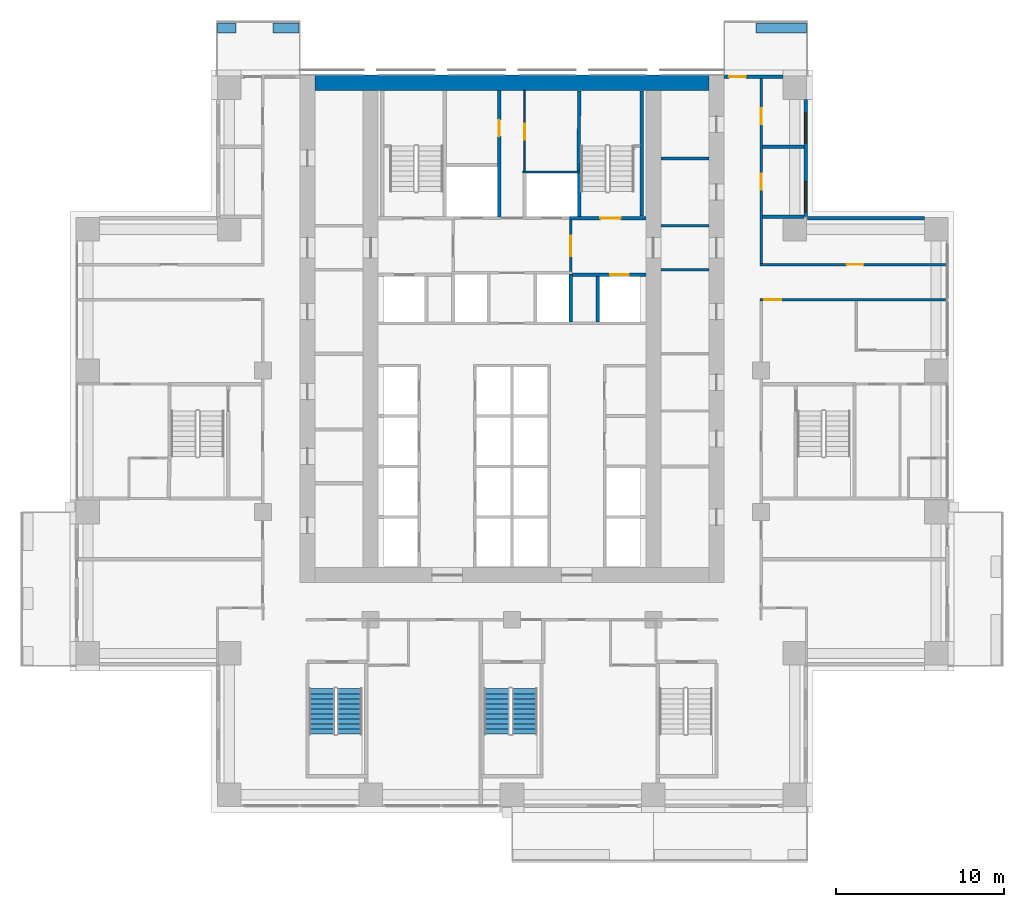
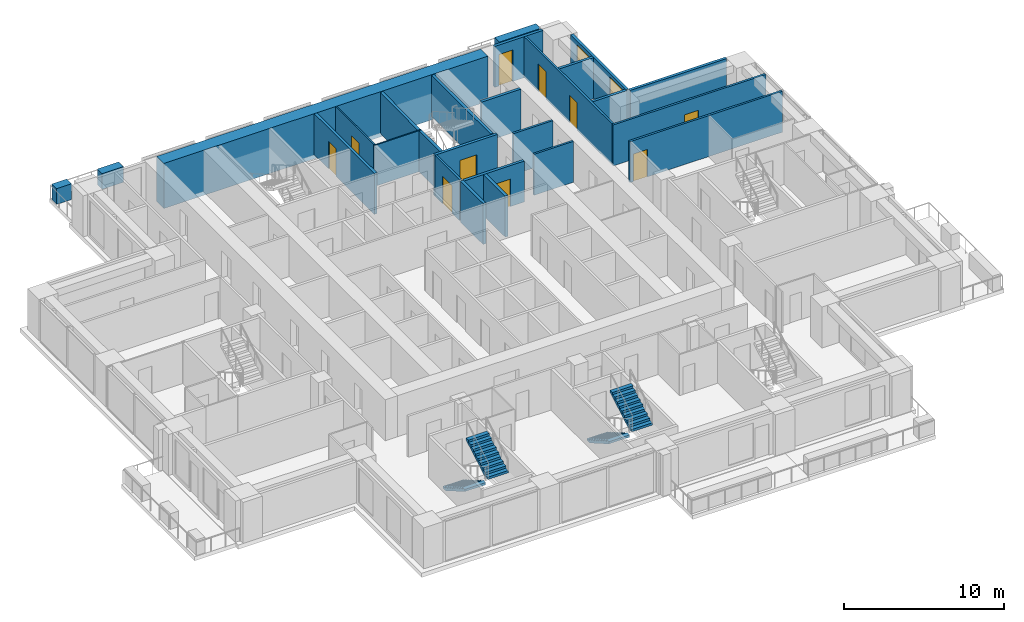
# One storey, part 13 of 17: 26 walls, 10 doors, 4 stair flights, 2 windows, 12 openings, 2 elements without a shape of their own.
"""IFC4 building model written with IfcOpenShell, lengths in metres."""

from ifc_helpers import new_model, si_unit, direction, frame, frame_2d, origin, place, context, subcontext, project, spatial, polyline, rectangle, outline, extrude, material, layer, layer_set, type_object, element, fill, aggregate, save


model = new_model("IFC4")

# Units and contexts
model_context = context("Model", 3, precision=1e-05, world=origin(), true_north=direction((0.0, 1.0)))
body_context = subcontext(model_context, "Body", "Model", "MODEL_VIEW")
ifc_project = project(units=[si_unit("LENGTHUNIT", "METRE"), si_unit("AREAUNIT", "SQUARE_METRE"), si_unit("VOLUMEUNIT", "CUBIC_METRE"), si_unit("PLANEANGLEUNIT", "RADIAN"), si_unit("MASSUNIT", "GRAM", prefix="KILO")], contexts=[model_context])

# Site, building, storey
site_placement = place(None, origin())
site = spatial("IfcSite", under=ifc_project, at=site_placement, CompositionType="ELEMENT")
building_placement = place(site_placement, origin())
building = spatial("IfcBuilding", under=site, at=building_placement, Name="Vermilion Ogive Tower", CompositionType="ELEMENT")
storey_placement = place(building_placement, frame((0.0, 0.0, 65.550048828125)))
storey = spatial("IfcBuildingStorey", under=building, at=storey_placement, Name="L15", CompositionType="ELEMENT", Elevation=65.550048828125)

# Wall
ifc_material_1 = material(Name="Gypsum board partition on steel studs", Category="steel")
ifc_layer_1 = layer(ifc_material_1, 0.10009765625)
ifc_layer_set_1 = layer_set([ifc_layer_1], Name="Partition 100 bath")
wall_type_1 = type_object("IfcWallType", Name="Partition 100 bath", PredefinedType="PARTITIONING", material=ifc_layer_set_1)
wall_1_placement = place(storey_placement, frame((0.64990234375, 16.0, 0.0), z_axis=(0.0, 0.0, 1.0), x_axis=(1.0, 0.0, 0.0)))
element("IfcWall", 1, at=wall_1_placement, inside=storey, type_object=wall_type_1, Name="L15-CK-W-W020", PredefinedType="PARTITIONING", context=body_context, shape_type="SweptSolid", body=[
    extrude(rectangle(XDim=3.4501953125, YDim=0.10009765625, at=frame_2d((1.72509765625, 0.0))), origin(), (0.0, 0.0, 1.0), 3.1298828125),
])

# Wall, opening, door
wall_2_placement = place(storey_placement, frame((0.75, 16.050048828125, 0.0), z_axis=(0.0, 0.0, 1.0), x_axis=(0.0, 1.0, 0.0)))
wall_2 = element("IfcWall", 2, at=wall_2_placement, inside=storey, type_object=wall_type_1, Name="L15-CK-W-W032", PredefinedType="PARTITIONING", context=body_context, shape_type="SweptSolid", body=[
    extrude(rectangle(XDim=4.799072265625, YDim=0.10009765625, at=frame_2d((2.3994140625, 0.0))), origin(), (0.0, 0.0, 1.0), 3.1298828125),
])
opening_1_placement = place(wall_2_placement, frame((1.875, 0.0, 0.0)))
opening_1 = element("IfcOpeningElement", 3, at=opening_1_placement, cuts=wall_2, Name="Opening DAA099", PredefinedType="OPENING", context=body_context, shape_type="SweptSolid", body=[
    extrude(rectangle(XDim=0.949951171875, YDim=2.10009765625, at=frame_2d((0.47509765625, 1.050048828125))), frame((0.0, 0.06005859375, 0.0), z_axis=(0.0, -1.0, 0.0), x_axis=(1.0, 0.0, 0.0)), (0.0, 0.0, 1.0), 0.1201171875),
])
ifc_material_2 = material(Name="Timber door leaf", Category="wood")
door_type_1 = type_object("IfcDoorType", Name="Service door 950 x 2100 FD60", OperationType="SINGLE_SWING_LEFT", PredefinedType="DOOR", material=ifc_material_2)
door_1_placement = place(opening_1_placement, origin())
door_1 = element("IfcDoor", 4, at=door_1_placement, inside=storey, type_object=door_type_1, Name="L15-CK-D-D021", OperationType="SINGLE_SWING_LEFT", OverallHeight=2.10009765625, OverallWidth=0.949951171875, PredefinedType="DOOR", context=body_context, shape_type="SweptSolid", body=[
    extrude(rectangle(XDim=0.949951171875, YDim=2.10009765625, at=frame_2d((0.47509765625, 1.050048828125))), frame((0.0, 0.02490234375, 0.0), z_axis=(0.0, -1.0, 0.0), x_axis=(1.0, 0.0, 0.0)), (0.0, 0.0, 1.0), 0.050048828125),
])
fill(opening_1, door_1)

ifc_material_3 = material(Name="Gypsum board partition on steel studs", Category="steel")
ifc_layer_2 = layer(ifc_material_3, 0.14990234375)
ifc_layer_set_2 = layer_set([ifc_layer_2], Name="Partition 150 corridor")
wall_type_2 = type_object("IfcWallType", Name="Partition 150 corridor", PredefinedType="PARTITIONING", material=ifc_layer_set_2)
wall_3_placement = place(storey_placement, frame((14.72509765625, 8.39990234375, 0.0), z_axis=(0.0, 0.0, 1.0), x_axis=(1.0, 0.0, 0.0)))
wall_3 = element("IfcWall", 5, at=wall_3_placement, inside=storey, type_object=wall_type_2, Name="L15-W-W029", PredefinedType="PARTITIONING", context=body_context, shape_type="SweptSolid", body=[
    extrude(rectangle(XDim=11.02490234375, YDim=0.14990234375, at=frame_2d((5.512451171875, 0.0))), origin(), (0.0, 0.0, 1.0), 3.1298828125),
])
opening_2_placement = place(wall_3_placement, frame((0.27490234375, 0.0, 0.0)))
opening_2 = element("IfcOpeningElement", 6, at=opening_2_placement, cuts=wall_3, Name="Opening D1G5016", PredefinedType="OPENING", context=body_context, shape_type="SweptSolid", body=[
    extrude(rectangle(XDim=1.0, YDim=2.10009765625, at=frame_2d((0.5, 1.050048828125))), frame((0.0, 0.0849609375, 0.0), z_axis=(0.0, -1.0, 0.0), x_axis=(1.0, 0.0, 0.0)), (0.0, 0.0, 1.0), 0.169921875),
])
ifc_material_4 = material(Name="Timber door leaf", Category="wood")
door_type_2 = type_object("IfcDoorType", Name="Unit door 1000 x 2100 FD30S", OperationType="SINGLE_SWING_LEFT", PredefinedType="DOOR", material=ifc_material_4)
door_2_placement = place(opening_2_placement, origin())
door_2 = element("IfcDoor", 7, at=door_2_placement, inside=storey, type_object=door_type_2, Name="L15-D-D016", OperationType="SINGLE_SWING_RIGHT", OverallHeight=2.10009765625, OverallWidth=1.0, PredefinedType="DOOR", context=body_context, shape_type="SweptSolid", body=[
    extrude(rectangle(XDim=1.0, YDim=2.10009765625, at=frame_2d((0.5, 1.050048828125))), frame((0.0, 0.02490234375, 0.0), z_axis=(0.0, -1.0, 0.0), x_axis=(1.0, 0.0, 0.0)), (0.0, 0.0, 1.0), 0.050048828125),
])
fill(opening_2, door_2)

wall_4_placement = place(storey_placement, frame((14.72509765625, 10.5, 0.0), z_axis=(0.0, 0.0, 1.0), x_axis=(1.0, 0.0, 0.0)))
wall_4 = element("IfcWall", 8, at=wall_4_placement, inside=storey, type_object=wall_type_2, Name="L15-W-W031", PredefinedType="PARTITIONING", context=body_context, shape_type="SweptSolid", body=[
    extrude(rectangle(XDim=11.02490234375, YDim=0.14990234375, at=frame_2d((5.512451171875, 0.0))), origin(), (0.0, 0.0, 1.0), 3.1298828125),
])
opening_3_placement = place(wall_4_placement, frame((5.14990234375, 0.0, 0.0)))
opening_3 = element("IfcOpeningElement", 9, at=opening_3_placement, cuts=wall_4, Name="Opening D1G5034", PredefinedType="OPENING", context=body_context, shape_type="SweptSolid", body=[
    extrude(rectangle(XDim=1.0, YDim=2.10009765625, at=frame_2d((0.5, 1.050048828125))), frame((0.0, 0.0849609375, 0.0), z_axis=(0.0, -1.0, 0.0), x_axis=(1.0, 0.0, 0.0)), (0.0, 0.0, 1.0), 0.169921875),
])
door_3_placement = place(opening_3_placement, origin())
door_3 = element("IfcDoor", 10, at=door_3_placement, inside=storey, type_object=door_type_2, Name="L15-D-D034", OperationType="SINGLE_SWING_RIGHT", OverallHeight=2.10009765625, OverallWidth=1.0, PredefinedType="DOOR", context=body_context, shape_type="SweptSolid", body=[
    extrude(rectangle(XDim=1.0, YDim=2.10009765625, at=frame_2d((0.5, 1.050048828125))), frame((0.0, 0.02490234375, 0.0), z_axis=(0.0, -1.0, 0.0), x_axis=(1.0, 0.0, 0.0)), (0.0, 0.0, 1.0), 0.050048828125),
])
fill(opening_3, door_3)

# Wall, openings, doors
wall_5_placement = place(storey_placement, frame((14.800048828125, 10.574951171875, 0.0), z_axis=(0.0, 0.0, 1.0), x_axis=(0.0, 1.0, 0.0)))
wall_5 = element("IfcWall", 11, at=wall_5_placement, inside=storey, type_object=wall_type_2, Name="L15-W-W054", PredefinedType="PARTITIONING", context=body_context, shape_type="SweptSolid", body=[
    extrude(rectangle(XDim=10.97509765625, YDim=0.14990234375, at=frame_2d((5.487548828125, 0.0))), origin(), (0.0, 0.0, 1.0), 3.1298828125),
])
opening_4_placement = place(wall_5_placement, frame((4.375, 0.0, 0.0)))
opening_4 = element("IfcOpeningElement", 12, at=opening_4_placement, cuts=wall_5, Name="Opening D1G5019", PredefinedType="OPENING", context=body_context, shape_type="SweptSolid", body=[
    extrude(rectangle(XDim=0.949951171875, YDim=2.10009765625, at=frame_2d((0.47509765625, 1.050048828125))), frame((0.0, 0.0849609375, 0.0), z_axis=(0.0, -1.0, 0.0), x_axis=(1.0, 0.0, 0.0)), (0.0, 0.0, 1.0), 0.169921875),
])
opening_5_placement = place(wall_5_placement, frame((8.275146484375, 0.0, 0.0)))
opening_5 = element("IfcOpeningElement", 13, at=opening_5_placement, cuts=wall_5, Name="Opening D1G5020", PredefinedType="OPENING", context=body_context, shape_type="SweptSolid", body=[
    extrude(rectangle(XDim=0.949951171875, YDim=2.10009765625, at=frame_2d((0.47509765625, 1.050048828125))), frame((0.0, 0.0849609375, 0.0), z_axis=(0.0, -1.0, 0.0), x_axis=(1.0, 0.0, 0.0)), (0.0, 0.0, 1.0), 0.169921875),
])
ifc_material_5 = material(Name="Timber door leaf", Category="wood")
door_type_3 = type_object("IfcDoorType", Name="Unit door 950 x 2100 FD30S", OperationType="SINGLE_SWING_LEFT", PredefinedType="DOOR", material=ifc_material_5)
door_4_placement = place(opening_4_placement, origin())
door_4 = element("IfcDoor", 14, at=door_4_placement, inside=storey, type_object=door_type_3, Name="L15-D-D019", OperationType="SINGLE_SWING_RIGHT", OverallHeight=2.10009765625, OverallWidth=0.949951171875, PredefinedType="DOOR", context=body_context, shape_type="SweptSolid", body=[
    extrude(rectangle(XDim=0.949951171875, YDim=2.10009765625, at=frame_2d((0.47509765625, 1.050048828125))), frame((0.0, 0.02490234375, 0.0), z_axis=(0.0, -1.0, 0.0), x_axis=(1.0, 0.0, 0.0)), (0.0, 0.0, 1.0), 0.050048828125),
])
fill(opening_4, door_4)
door_5_placement = place(opening_5_placement, origin())
door_5 = element("IfcDoor", 15, at=door_5_placement, inside=storey, type_object=door_type_3, Name="L15-D-D020", OperationType="SINGLE_SWING_LEFT", OverallHeight=2.10009765625, OverallWidth=0.949951171875, PredefinedType="DOOR", context=body_context, shape_type="SweptSolid", body=[
    extrude(rectangle(XDim=0.949951171875, YDim=2.10009765625, at=frame_2d((0.47509765625, 1.050048828125))), frame((0.0, 0.02490234375, 0.0), z_axis=(0.0, -1.0, 0.0), x_axis=(1.0, 0.0, 0.0)), (0.0, 0.0, 1.0), 0.050048828125),
])
fill(opening_5, door_5)

# Wall, opening, door
wall_6_placement = place(storey_placement, frame((3.5, 10.074951171875, 0.0), z_axis=(0.0, 0.0, 1.0), x_axis=(0.0, 1.0, 0.0)))
wall_6 = element("IfcWall", 16, at=wall_6_placement, inside=storey, type_object=wall_type_2, Name="L15-CK-W-W036", PredefinedType="PARTITIONING", context=body_context, shape_type="SweptSolid", body=[
    extrude(rectangle(XDim=3.074951171875, YDim=0.14990234375, at=frame_2d((1.53759765625, 0.0))), origin(), (0.0, 0.0, 1.0), 3.1298828125),
])
opening_6_placement = place(wall_6_placement, frame((0.925048828125, 0.0, 0.0)))
opening_6 = element("IfcOpeningElement", 17, at=opening_6_placement, cuts=wall_6, Name="Opening DAA092", PredefinedType="OPENING", context=body_context, shape_type="SweptSolid", body=[
    extrude(rectangle(XDim=1.199951171875, YDim=2.10009765625, at=frame_2d((0.60009765625, 1.050048828125))), frame((0.0, 0.0849609375, 0.0), z_axis=(0.0, -1.0, 0.0), x_axis=(1.0, 0.0, 0.0)), (0.0, 0.0, 1.0), 0.169921875),
])
ifc_material_6 = material(Name="Timber door leaf", Category="wood")
door_type_4 = type_object("IfcDoorType", Name="Lobby door 1200 x 2100 FD60S", OperationType="SINGLE_SWING_LEFT", PredefinedType="DOOR", material=ifc_material_6)
door_6_placement = place(opening_6_placement, origin())
door_6 = element("IfcDoor", 18, at=door_6_placement, inside=storey, type_object=door_type_4, Name="L15-CK-D-D023", OperationType="SINGLE_SWING_LEFT", OverallHeight=2.10009765625, OverallWidth=1.199951171875, PredefinedType="DOOR", context=body_context, shape_type="SweptSolid", body=[
    extrude(rectangle(XDim=1.199951171875, YDim=2.10009765625, at=frame_2d((0.60009765625, 1.050048828125))), frame((0.0, 0.02490234375, 0.0), z_axis=(0.0, -1.0, 0.0), x_axis=(1.0, 0.0, 0.0)), (0.0, 0.0, 1.0), 0.050048828125),
])
fill(opening_6, door_6)

# Walls
for number, where, z_axis, x_axis, name in (
    (19, (8.85107421875, 10.199951171875, 0.0), (0.0, 0.0, 1.0), (1.0, 0.0, 0.0), "L15-CKE-W-W004"),
    (20, (8.85107421875, 12.800048828125, 0.0), (0.0, 0.0, 1.0), (1.0, 0.0, 0.0), "L15-CKE-W-W005"),
):
    element("IfcWall", number, at=place(storey_placement, frame(where, z_axis=z_axis, x_axis=x_axis)), inside=storey, type_object=wall_type_2, Name=name, PredefinedType="PARTITIONING", context=body_context, shape_type="SweptSolid", body=[
        extrude(rectangle(XDim=2.847900390625, YDim=0.14990234375, at=frame_2d((1.423828125, 0.0))), origin(), (0.0, 0.0, 1.0), 3.1298828125),
    ])
ifc_material_7 = material(Name="Gypsum board partition on steel studs", Category="steel")
ifc_layer_3 = layer(ifc_material_7, 0.199951171875)
ifc_layer_set_3 = layer_set([ifc_layer_3], Name="Partition 200 party")
wall_type_3 = type_object("IfcWallType", Name="Partition 200 party", PredefinedType="PARTITIONING", material=ifc_layer_set_3)
for number, where, z_axis, x_axis, name in (
    (21, (14.875, 13.35009765625, 0.0), (0.0, 0.0, 1.0), (1.0, 0.0, 0.0), "L15-W-W033"),
    (22, (14.875, 17.5, 0.0), (0.0, 0.0, 1.0), (1.0, 0.0, 0.0), "L15-W-W035"),
):
    element("IfcWall", number, at=place(storey_placement, frame(where, z_axis=z_axis, x_axis=x_axis)), inside=storey, type_object=wall_type_3, Name=name, PredefinedType="PARTITIONING", context=body_context, shape_type="SweptSolid", body=[
        extrude(rectangle(XDim=2.47509765625, YDim=0.199951171875, at=frame_2d((1.237548828125, 0.0))), origin(), (0.0, 0.0, 1.0), 3.1298828125),
    ])

# Wall, opening, door
wall_7_placement = place(storey_placement, frame((3.60009765625, 9.89990234375, 0.0), z_axis=(0.0, 0.0, 1.0), x_axis=(1.0, 0.0, 0.0)))
wall_7 = element("IfcWall", 23, at=wall_7_placement, inside=storey, type_object=wall_type_3, Name="L15-CK-W-W015", PredefinedType="PARTITIONING", context=body_context, shape_type="SweptSolid", body=[
    extrude(rectangle(XDim=4.348876953125, YDim=0.199951171875, at=frame_2d((2.17431640625, 0.0))), origin(), (0.0, 0.0, 1.0), 3.1298828125),
])
opening_7_placement = place(wall_7_placement, frame((2.25, 0.0, 0.0)))
opening_7 = element("IfcOpeningElement", 24, at=opening_7_placement, cuts=wall_7, Name="Opening DAA103", PredefinedType="OPENING", context=body_context, shape_type="SweptSolid", body=[
    extrude(rectangle(XDim=1.10009765625, YDim=2.10009765625, at=frame_2d((0.550048828125, 1.050048828125))), frame((0.0, 0.10986328125, 0.0), z_axis=(0.0, -1.0, 0.0), x_axis=(1.0, 0.0, 0.0)), (0.0, 0.0, 1.0), 0.219970703125),
])
ifc_material_8 = material(Name="Stainless steel", Category="steel")
door_type_5 = type_object("IfcDoorType", Name="Lift landing door 1100 x 2100", OperationType="SLIDING_TO_LEFT", PredefinedType="DOOR", material=ifc_material_8)
door_7_placement = place(opening_7_placement, origin())
door_7 = element("IfcDoor", 25, at=door_7_placement, inside=storey, type_object=door_type_5, Name="L15-CK-D-D014", OperationType="SLIDING_TO_LEFT", OverallHeight=2.10009765625, OverallWidth=1.10009765625, PredefinedType="DOOR", context=body_context, shape_type="SweptSolid", body=[
    extrude(rectangle(XDim=1.10009765625, YDim=2.10009765625, at=frame_2d((0.550048828125, 1.050048828125))), frame((0.0, 0.02490234375, 0.0), z_axis=(0.0, -1.0, 0.0), x_axis=(1.0, 0.0, 0.0)), (0.0, 0.0, 1.0), 0.050048828125),
])
fill(opening_7, door_7)

wall_8_placement = place(storey_placement, frame((-0.75, 13.324951171875, 0.0), z_axis=(0.0, 0.0, 1.0), x_axis=(0.0, 1.0, 0.0)))
wall_8 = element("IfcWall", 26, at=wall_8_placement, inside=storey, type_object=wall_type_3, Name="L15-CK-W-W029", PredefinedType="PARTITIONING", context=body_context, shape_type="SweptSolid", body=[
    extrude(rectangle(XDim=7.524169921875, YDim=0.199951171875, at=frame_2d((3.76220703125, 0.0))), origin(), (0.0, 0.0, 1.0), 3.1298828125),
])
opening_8_placement = place(wall_8_placement, frame((4.800048828125, 0.0, 0.0)))
opening_8 = element("IfcOpeningElement", 27, at=opening_8_placement, cuts=wall_8, Name="Opening DAA098", PredefinedType="OPENING", context=body_context, shape_type="SweptSolid", body=[
    extrude(rectangle(XDim=0.949951171875, YDim=2.10009765625, at=frame_2d((0.47509765625, 1.050048828125))), frame((0.0, 0.10986328125, 0.0), z_axis=(0.0, -1.0, 0.0), x_axis=(1.0, 0.0, 0.0)), (0.0, 0.0, 1.0), 0.219970703125),
])
door_8_placement = place(opening_8_placement, origin())
door_8 = element("IfcDoor", 28, at=door_8_placement, inside=storey, type_object=door_type_1, Name="L15-CK-D-D020", OperationType="SINGLE_SWING_RIGHT", OverallHeight=2.10009765625, OverallWidth=0.949951171875, PredefinedType="DOOR", context=body_context, shape_type="SweptSolid", body=[
    extrude(rectangle(XDim=0.949951171875, YDim=2.10009765625, at=frame_2d((0.47509765625, 1.050048828125))), frame((0.0, 0.02490234375, 0.0), z_axis=(0.0, -1.0, 0.0), x_axis=(1.0, 0.0, 0.0)), (0.0, 0.0, 1.0), 0.050048828125),
])
fill(opening_8, door_8)

# Walls
wall_9_placement = place(storey_placement, frame((3.5, 7.074951171875, 0.0), z_axis=(0.0, 0.0, 1.0), x_axis=(0.0, 1.0, 0.0)))
element("IfcWall", 29, at=wall_9_placement, inside=storey, type_object=wall_type_3, Name="L15-CK-W-W035", PredefinedType="PARTITIONING", context=body_context, shape_type="SweptSolid", body=[
    extrude(rectangle(XDim=2.85009765625, YDim=0.199951171875, at=frame_2d((1.425048828125, 0.0))), origin(), (0.0, 0.0, 1.0), 3.1298828125),
])
wall_10_placement = place(storey_placement, frame((5.10009765625, 7.074951171875, 0.0), z_axis=(0.0, 0.0, 1.0), x_axis=(0.0, 1.0, 0.0)))
element("IfcWall", 30, at=wall_10_placement, inside=storey, type_object=wall_type_3, Name="L15-CK-W-W039", PredefinedType="PARTITIONING", context=body_context, shape_type="SweptSolid", body=[
    extrude(rectangle(XDim=2.72509765625, YDim=0.199951171875, at=frame_2d((1.362548828125, 0.0))), origin(), (0.0, 0.0, 1.0), 3.1298828125),
])
wall_11_placement = place(storey_placement, frame((8.85107421875, 16.800048828125, 0.0), z_axis=(0.0, 0.0, 1.0), x_axis=(1.0, 0.0, 0.0)))
element("IfcWall", 31, at=wall_11_placement, inside=storey, type_object=wall_type_3, Name="L15-CKE-W-W006", PredefinedType="PARTITIONING", context=body_context, shape_type="SweptSolid", body=[
    extrude(rectangle(XDim=2.847900390625, YDim=0.199951171875, at=frame_2d((1.423828125, 0.0))), origin(), (0.0, 0.0, 1.0), 3.1298828125),
])
ifc_material_9 = material(Name="Concrete B60", Category="concrete")
ifc_layer_4 = layer(ifc_material_9, 0.199951171875)
ifc_layer_set_4 = layer_set([ifc_layer_4], Name="Stair shaft wall 200 Concrete B60")
wall_type_4 = type_object("IfcWallType", Name="Stair shaft wall 200 Concrete B60", PredefinedType="SOLIDWALL", material=ifc_layer_set_4)
wall_12_placement = place(storey_placement, frame((-11.699951171875, 21.300048828125, -0.320068359375), z_axis=(0.0, 0.0, 1.0), x_axis=(1.0, 0.0, 0.0)))
element("IfcWall", 32, at=wall_12_placement, inside=storey, type_object=wall_type_4, Name="L15-CORE-N", PredefinedType="SOLIDWALL", context=body_context, shape_type="SweptSolid", body=[
    extrude(rectangle(XDim=23.39990234375, YDim=0.89990234375, at=frame_2d((11.699951171875, 0.0))), origin(), (0.0, 0.0, 1.0), 3.449951171875),
])

# Wall, opening, door
wall_13_placement = place(storey_placement, frame((3.425048828125, 13.25, 0.0), z_axis=(0.0, 0.0, 1.0), x_axis=(1.0, 0.0, 0.0)))
wall_13 = element("IfcWall", 33, at=wall_13_placement, inside=storey, type_object=wall_type_4, Name="L15-CK-W-W019", PredefinedType="SOLIDWALL", context=body_context, shape_type="SweptSolid", body=[
    extrude(rectangle(XDim=4.52392578125, YDim=0.199951171875, at=frame_2d((2.261962890625, 0.0))), origin(), (0.0, 0.0, 1.0), 3.1298828125),
])
opening_9_placement = place(wall_13_placement, frame((1.824951171875, 0.0, 0.0)))
opening_9 = element("IfcOpeningElement", 34, at=opening_9_placement, cuts=wall_13, Name="Opening DAA101", PredefinedType="OPENING", context=body_context, shape_type="SweptSolid", body=[
    extrude(rectangle(XDim=1.199951171875, YDim=2.10009765625, at=frame_2d((0.60009765625, 1.050048828125))), frame((0.0, 0.10986328125, 0.0), z_axis=(0.0, -1.0, 0.0), x_axis=(1.0, 0.0, 0.0)), (0.0, 0.0, 1.0), 0.219970703125),
])
ifc_material_10 = material(Name="Timber door leaf", Category="wood")
door_type_6 = type_object("IfcDoorType", Name="Stair door 1200 x 2100 FD60S", OperationType="SINGLE_SWING_LEFT", PredefinedType="DOOR", material=ifc_material_10)
door_9_placement = place(opening_9_placement, origin())
door_9 = element("IfcDoor", 35, at=door_9_placement, inside=storey, type_object=door_type_6, Name="L15-CK-D-D013", OperationType="SINGLE_SWING_RIGHT", OverallHeight=2.10009765625, OverallWidth=1.199951171875, PredefinedType="DOOR", context=body_context, shape_type="SweptSolid", body=[
    extrude(rectangle(XDim=1.199951171875, YDim=2.10009765625, at=frame_2d((0.60009765625, 1.050048828125))), frame((0.0, 0.02490234375, 0.0), z_axis=(0.0, -1.0, 0.0), x_axis=(1.0, 0.0, 0.0)), (0.0, 0.0, 1.0), 0.050048828125),
])
fill(opening_9, door_9)

# Walls
wall_14_placement = place(storey_placement, frame((4.0, 13.35009765625, 0.0), z_axis=(0.0, 0.0, 1.0), x_axis=(0.0, 1.0, 0.0)))
element("IfcWall", 36, at=wall_14_placement, inside=storey, type_object=wall_type_4, Name="L15-CK-W-W037", PredefinedType="SOLIDWALL", context=body_context, shape_type="SweptSolid", body=[
    extrude(rectangle(XDim=2.599853515625, YDim=0.199951171875, at=frame_2d((1.2998046875, 0.0))), origin(), (0.0, 0.0, 1.0), 3.1298828125),
])
wall_15_placement = place(storey_placement, frame((3.949951171875, 16.050048828125, 0.0), z_axis=(0.0, 0.0, 1.0), x_axis=(0.010538176883, 0.999944471872, 0.0)))
element("IfcWall", 37, at=wall_15_placement, inside=storey, type_object=wall_type_4, Name="L15-CK-W-W038", PredefinedType="SOLIDWALL", context=body_context, shape_type="SweptSolid", body=[
    extrude(rectangle(XDim=4.749267578125, YDim=0.199951171875, at=frame_2d((2.37451171875, 0.0))), origin(), (0.0, 0.0, 1.0), 3.1298828125),
])
wall_16_placement = place(storey_placement, frame((7.699951171875, 13.39990234375, 0.0), z_axis=(0.0, 0.0, 1.0), x_axis=(0.0, 1.0, 0.0)))
element("IfcWall", 38, at=wall_16_placement, inside=storey, type_object=wall_type_4, Name="L15-SW-R025-E1", PredefinedType="SOLIDWALL", context=body_context, shape_type="SweptSolid", body=[
    extrude(rectangle(XDim=7.400146484375, YDim=0.199951171875, at=frame_2d((3.7001953125, 0.0))), origin(), (0.0, 0.0, 1.0), 3.1298828125),
])
ifc_material_11 = material(Name="Concrete B40", Category="concrete")
ifc_layer_5 = layer(ifc_material_11, 0.60009765625)
ifc_layer_set_5 = layer_set([ifc_layer_5], Name="Structural planter")
wall_type_5 = type_object("IfcWallType", Name="Structural planter", PredefinedType="USERDEFINED", material=ifc_layer_set_5)
wall_17_placement = place(storey_placement, frame((17.489990234375, 24.550048828125, -0.0400390625), z_axis=(0.0, 0.0, 1.0), x_axis=(-1.0, 0.0, 0.0)))
element("IfcWall", 39, at=wall_17_placement, inside=storey, type_object=wall_type_5, Name="Planter N101A1", ObjectType="PLANTER", PredefinedType="USERDEFINED", context=body_context, shape_type="SweptSolid", body=[
    extrude(rectangle(XDim=2.989990234375, YDim=0.60009765625, at=frame_2d((1.4951171875, 0.0))), origin(), (0.0, 0.0, 1.0), 1.199951171875),
])
wall_18_placement = place(storey_placement, frame((-12.659912109375, 24.550048828125, -0.0400390625), z_axis=(0.0, 0.0, 1.0), x_axis=(-1.0, 0.0, 0.0)))
element("IfcWall", 40, at=wall_18_placement, inside=storey, type_object=wall_type_5, Name="Planter N201A1", ObjectType="PLANTER", PredefinedType="USERDEFINED", context=body_context, shape_type="SweptSolid", body=[
    extrude(rectangle(XDim=1.5400390625, YDim=0.60009765625, at=frame_2d((0.77001953125, 0.0))), origin(), (0.0, 0.0, 1.0), 1.199951171875),
])
wall_19_placement = place(storey_placement, frame((-16.39990234375, 24.550048828125, -0.0400390625), z_axis=(0.0, 0.0, 1.0), x_axis=(-1.0, 0.0, 0.0)))
element("IfcWall", 41, at=wall_19_placement, inside=storey, type_object=wall_type_5, Name="Planter N201A2", ObjectType="PLANTER", PredefinedType="USERDEFINED", context=body_context, shape_type="SweptSolid", body=[
    extrude(rectangle(XDim=1.090087890625, YDim=0.60009765625, at=frame_2d((0.544921875, 0.0))), origin(), (0.0, 0.0, 1.0), 1.199951171875),
])
ifc_material_12 = material(Name="Aluminium window wall framing", Category="aluminium")
ifc_layer_6 = layer(ifc_material_12, 0.199951171875)
ifc_layer_set_6 = layer_set([ifc_layer_6], Name="Window wall")
wall_type_6 = type_object("IfcWallType", Name="Window wall", PredefinedType="STANDARD", material=ifc_layer_set_6)
wall_20_placement = place(storey_placement, frame((24.5, 13.25, 0.0), z_axis=(0.0, 0.0, 1.0), x_axis=(-1.0, 0.0, 0.0)))
element("IfcWall", 42, at=wall_20_placement, inside=storey, type_object=wall_type_6, Name="Window wall X31", PredefinedType="STANDARD", context=body_context, shape_type="SweptSolid", body=[
    extrude(rectangle(XDim=6.949951171875, YDim=0.199951171875, at=frame_2d((3.47509765625, 0.0))), origin(), (0.0, 0.0, 1.0), 3.1298828125),
])

# Wall, openings, windows
wall_21_placement = place(storey_placement, frame((17.449951171875, 13.35009765625, 0.0), z_axis=(0.0, 0.0, 1.0), x_axis=(0.0, 1.0, 0.0)))
wall_21 = element("IfcWall", 43, at=wall_21_placement, inside=storey, type_object=wall_type_6, Name="Window wall X41", PredefinedType="STANDARD", context=body_context, shape_type="SweptSolid", body=[
    extrude(rectangle(XDim=6.949951171875, YDim=0.199951171875, at=frame_2d((3.47509765625, 0.0))), origin(), (0.0, 0.0, 1.0), 3.1298828125),
])
opening_10_placement = place(wall_21_placement, frame((0.27490234375, 0.0, 0.199951171875)))
opening_10 = element("IfcOpeningElement", 44, at=opening_10_placement, cuts=wall_21, Name="Opening W1-X403", PredefinedType="OPENING", context=body_context, shape_type="SweptSolid", body=[
    extrude(rectangle(XDim=1.800048828125, YDim=2.64990234375, at=frame_2d((0.89990234375, 1.324951171875))), frame((0.0, 0.10986328125, 0.0), z_axis=(0.0, -1.0, 0.0), x_axis=(1.0, 0.0, 0.0)), (0.0, 0.0, 1.0), 0.219970703125),
])
opening_11_placement = place(wall_21_placement, frame((4.3701171875, 0.0, 0.199951171875)))
opening_11 = element("IfcOpeningElement", 45, at=opening_11_placement, cuts=wall_21, Name="Opening W1-X404", PredefinedType="OPENING", context=body_context, shape_type="SweptSolid", body=[
    extrude(rectangle(XDim=1.800048828125, YDim=2.64990234375, at=frame_2d((0.89990234375, 1.324951171875))), frame((0.0, 0.10986328125, 0.0), z_axis=(0.0, -1.0, 0.0), x_axis=(1.0, 0.0, 0.0)), (0.0, 0.0, 1.0), 0.219970703125),
])
ifc_material_13 = material(Name="Aluminium framed double glazing", Category="aluminium")
window_type = type_object("IfcWindowType", Name="Guest window W1", PartitioningType="SINGLE_PANEL", PredefinedType="WINDOW", material=ifc_material_13)
window_1_placement = place(opening_10_placement, origin())
window_1 = element("IfcWindow", 46, at=window_1_placement, inside=storey, type_object=window_type, Name="Window X403", OverallHeight=2.64990234375, OverallWidth=1.800048828125, PartitioningType="SINGLE_PANEL", PredefinedType="WINDOW", context=body_context, shape_type="SweptSolid", body=[
    extrude(rectangle(XDim=1.800048828125, YDim=2.64990234375, at=frame_2d((0.89990234375, 1.324951171875))), frame((0.0, 0.030029296875, 0.0), z_axis=(0.0, -1.0, 0.0), x_axis=(1.0, 0.0, 0.0)), (0.0, 0.0, 1.0), 0.06005859375),
])
fill(opening_10, window_1)
window_2_placement = place(opening_11_placement, origin())
window_2 = element("IfcWindow", 47, at=window_2_placement, inside=storey, type_object=window_type, Name="Window X404", OverallHeight=2.64990234375, OverallWidth=1.800048828125, PartitioningType="SINGLE_PANEL", PredefinedType="WINDOW", context=body_context, shape_type="SweptSolid", body=[
    extrude(rectangle(XDim=1.800048828125, YDim=2.64990234375, at=frame_2d((0.89990234375, 1.324951171875))), frame((0.0, 0.030029296875, 0.0), z_axis=(0.0, -1.0, 0.0), x_axis=(1.0, 0.0, 0.0)), (0.0, 0.0, 1.0), 0.06005859375),
])
fill(opening_11, window_2)

# Wall, opening, door
wall_22_placement = place(storey_placement, frame((16.10009765625, 21.64990234375, 0.0), z_axis=(0.0, 0.0, 1.0), x_axis=(-1.0, 0.0, 0.0)))
wall_22 = element("IfcWall", 48, at=wall_22_placement, inside=storey, type_object=wall_type_6, Name="Window wall N11", PredefinedType="STANDARD", context=body_context, shape_type="SweptSolid", body=[
    extrude(rectangle(XDim=3.5, YDim=0.199951171875, at=frame_2d((1.75, 0.0))), origin(), (0.0, 0.0, 1.0), 3.1298828125),
])
opening_12_placement = place(wall_22_placement, frame((2.199951171875, 0.0, 0.0)))
opening_12 = element("IfcOpeningElement", 49, at=opening_12_placement, cuts=wall_22, Name="Opening D1-N103", PredefinedType="OPENING", context=body_context, shape_type="SweptSolid", body=[
    extrude(rectangle(XDim=1.0, YDim=2.39990234375, at=frame_2d((0.5, 1.199951171875))), frame((0.0, 0.10986328125, 0.0), z_axis=(0.0, -1.0, 0.0), x_axis=(1.0, 0.0, 0.0)), (0.0, 0.0, 1.0), 0.219970703125),
])
ifc_material_14 = material(Name="Aluminium framed glazed door", Category="aluminium")
door_type_7 = type_object("IfcDoorType", Name="Balcony door D1", OperationType="SINGLE_SWING_LEFT", PredefinedType="DOOR", material=ifc_material_14)
door_10_placement = place(opening_12_placement, origin())
door_10 = element("IfcDoor", 50, at=door_10_placement, inside=storey, type_object=door_type_7, Name="Balcony door N103", OperationType="SINGLE_SWING_LEFT", OverallHeight=2.39990234375, OverallWidth=1.0, PredefinedType="DOOR", context=body_context, shape_type="SweptSolid", body=[
    extrude(rectangle(XDim=1.0, YDim=2.39990234375, at=frame_2d((0.5, 1.199951171875))), frame((0.0, 0.02490234375, 0.0), z_axis=(0.0, -1.0, 0.0), x_axis=(1.0, 0.0, 0.0)), (0.0, 0.0, 1.0), 0.050048828125),
])
fill(opening_12, door_10)

# Stair, stair flights
ifc_material_15 = material(Name="Concrete B40", Category="concrete")
stair_type = type_object("IfcStairType", Name="Exit stair 1500", PredefinedType="HALF_TURN_STAIR", material=ifc_material_15)
stair_1_placement = place(storey_placement, origin())
stair_1 = element("IfcStair", 51, at=stair_1_placement, inside=storey, type_object=stair_type, Name="L15 Exit Stair ST3", PredefinedType="HALF_TURN_STAIR")
ifc_material_16 = material(Name="Concrete B40", Category="concrete")
stair_flight_type = type_object("IfcStairFlightType", Name="Stair flight 1500", PredefinedType="STRAIGHT", material=ifc_material_16)
stair_flight_1_placement = place(storey_placement, frame((-11.300048828125, -14.699951171875, 0.0), z_axis=(0.0, 0.0, 1.0), x_axis=(0.0, -1.0, 0.0)))
stair_flight_1 = element("IfcStairFlight", 52, at=stair_flight_1_placement, type_object=stair_flight_type, Name="ST3 flight 1", NumberOfRisers=10, NumberOfTreads=9, PredefinedType="STRAIGHT", RiserHeight=0.1725, TreadLength=0.3, context=body_context, shape_type="SweptSolid", body=[
    extrude(outline(polyline([(0.0, 0.0), (0.0, 0.172607421875), (0.300048828125, 0.172607421875), (0.300048828125, 0.344970703125), (0.60009765625, 0.344970703125), (0.60009765625, 0.517578125), (0.89990234375, 0.517578125), (0.89990234375, 0.68994140625), (1.199951171875, 0.68994140625), (1.199951171875, 0.862548828125), (1.5, 0.862548828125), (1.5, 1.034912109375), (1.800048828125, 1.034912109375), (1.800048828125, 1.20751953125), (2.10009765625, 1.20751953125), (2.10009765625, 1.3798828125), (2.39990234375, 1.3798828125), (2.39990234375, 1.552490234375), (2.699951171875, 1.552490234375), (2.699951171875, 1.72509765625), (2.699951171875, 1.379638671875), (0.30078125, 0.0), (0.0, 0.0)])), frame((0.0, 0.75, 0.0), z_axis=(0.0, -1.0, 0.0), x_axis=(1.0, 0.0, 0.0)), (0.0, 0.0, 1.0), 1.5),
])
stair_flight_2_placement = place(storey_placement, frame((-9.64990234375, -17.39990234375, 1.724853515625), z_axis=(0.0, 0.0, 1.0), x_axis=(0.0, 1.0, 0.0)))
stair_flight_2 = element("IfcStairFlight", 53, at=stair_flight_2_placement, type_object=stair_flight_type, Name="ST3 flight 2", NumberOfRisers=10, NumberOfTreads=9, PredefinedType="STRAIGHT", RiserHeight=0.1725, TreadLength=0.3, context=body_context, shape_type="SweptSolid", body=[
    extrude(outline(polyline([(0.0, 0.0), (0.0, 0.172607421875), (0.300048828125, 0.172607421875), (0.300048828125, 0.344970703125), (0.60009765625, 0.344970703125), (0.60009765625, 0.517578125), (0.89990234375, 0.517578125), (0.89990234375, 0.68994140625), (1.199951171875, 0.68994140625), (1.199951171875, 0.862548828125), (1.5, 0.862548828125), (1.5, 1.034912109375), (1.800048828125, 1.034912109375), (1.800048828125, 1.20751953125), (2.10009765625, 1.20751953125), (2.10009765625, 1.3798828125), (2.39990234375, 1.3798828125), (2.39990234375, 1.552490234375), (2.699951171875, 1.552490234375), (2.699951171875, 1.72509765625), (2.699951171875, 1.379638671875), (0.30078125, 0.0), (0.0, 0.0)])), frame((0.0, 0.75, 0.0), z_axis=(0.0, -1.0, 0.0), x_axis=(1.0, 0.0, 0.0)), (0.0, 0.0, 1.0), 1.5),
])
aggregate(stair_1, [stair_flight_1, stair_flight_2])

stair_2_placement = place(storey_placement, origin())
stair_2 = element("IfcStair", 54, at=stair_2_placement, inside=storey, type_object=stair_type, Name="L15 Exit Stair ST4", PredefinedType="HALF_TURN_STAIR")
stair_flight_3_placement = place(storey_placement, frame((-0.89990234375, -14.699951171875, 0.0), z_axis=(0.0, 0.0, 1.0), x_axis=(0.0, -1.0, 0.0)))
stair_flight_3 = element("IfcStairFlight", 55, at=stair_flight_3_placement, type_object=stair_flight_type, Name="ST4 flight 1", NumberOfRisers=10, NumberOfTreads=9, PredefinedType="STRAIGHT", RiserHeight=0.1725, TreadLength=0.3, context=body_context, shape_type="SweptSolid", body=[
    extrude(outline(polyline([(0.0, 0.0), (0.0, 0.172607421875), (0.300048828125, 0.172607421875), (0.300048828125, 0.344970703125), (0.60009765625, 0.344970703125), (0.60009765625, 0.517578125), (0.89990234375, 0.517578125), (0.89990234375, 0.68994140625), (1.199951171875, 0.68994140625), (1.199951171875, 0.862548828125), (1.5, 0.862548828125), (1.5, 1.034912109375), (1.800048828125, 1.034912109375), (1.800048828125, 1.20751953125), (2.10009765625, 1.20751953125), (2.10009765625, 1.3798828125), (2.39990234375, 1.3798828125), (2.39990234375, 1.552490234375), (2.699951171875, 1.552490234375), (2.699951171875, 1.72509765625), (2.699951171875, 1.379638671875), (0.30078125, 0.0), (0.0, 0.0)])), frame((0.0, 0.75, 0.0), z_axis=(0.0, -1.0, 0.0), x_axis=(1.0, 0.0, 0.0)), (0.0, 0.0, 1.0), 1.5),
])
stair_flight_4_placement = place(storey_placement, frame((0.75, -17.39990234375, 1.724853515625), z_axis=(0.0, 0.0, 1.0), x_axis=(0.0, 1.0, 0.0)))
stair_flight_4 = element("IfcStairFlight", 56, at=stair_flight_4_placement, type_object=stair_flight_type, Name="ST4 flight 2", NumberOfRisers=10, NumberOfTreads=9, PredefinedType="STRAIGHT", RiserHeight=0.1725, TreadLength=0.3, context=body_context, shape_type="SweptSolid", body=[
    extrude(outline(polyline([(0.0, 0.0), (0.0, 0.172607421875), (0.300048828125, 0.172607421875), (0.300048828125, 0.344970703125), (0.60009765625, 0.344970703125), (0.60009765625, 0.517578125), (0.89990234375, 0.517578125), (0.89990234375, 0.68994140625), (1.199951171875, 0.68994140625), (1.199951171875, 0.862548828125), (1.5, 0.862548828125), (1.5, 1.034912109375), (1.800048828125, 1.034912109375), (1.800048828125, 1.20751953125), (2.10009765625, 1.20751953125), (2.10009765625, 1.3798828125), (2.39990234375, 1.3798828125), (2.39990234375, 1.552490234375), (2.699951171875, 1.552490234375), (2.699951171875, 1.72509765625), (2.699951171875, 1.379638671875), (0.30078125, 0.0), (0.0, 0.0)])), frame((0.0, 0.75, 0.0), z_axis=(0.0, -1.0, 0.0), x_axis=(1.0, 0.0, 0.0)), (0.0, 0.0, 1.0), 1.5),
])
aggregate(stair_2, [stair_flight_3, stair_flight_4])

save(model, "model.ifc")
